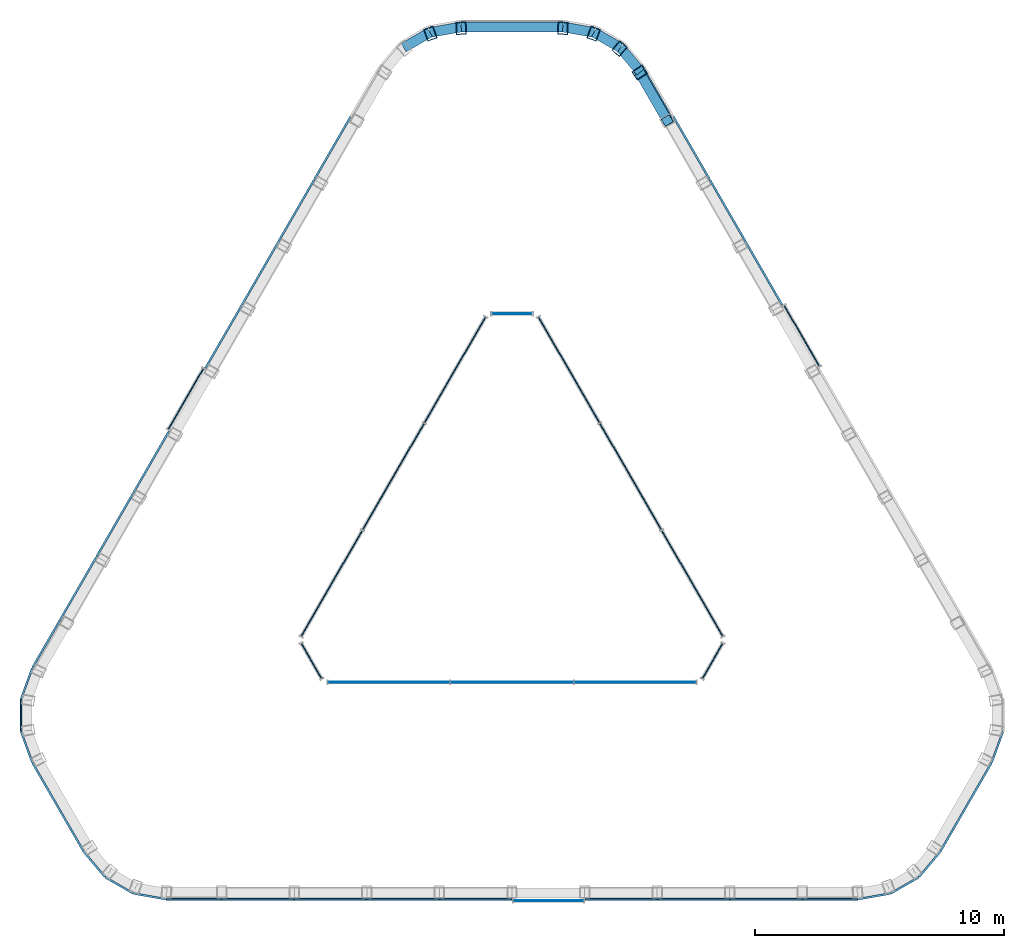
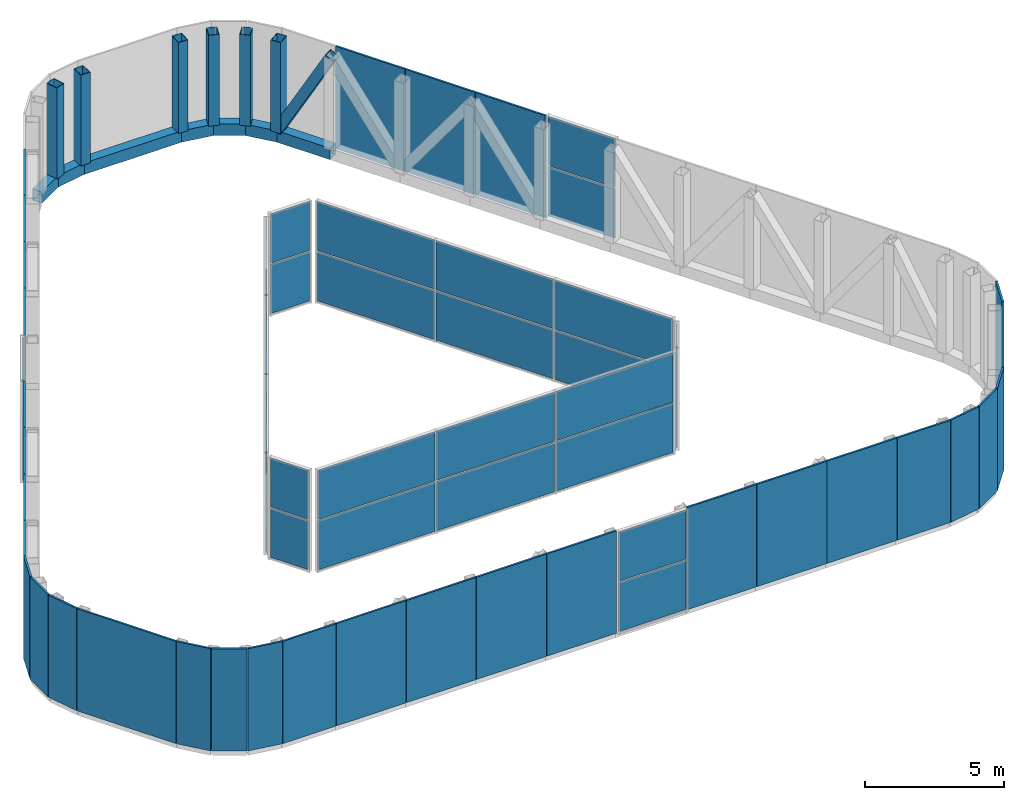
# One storey, part 4 of 5: 62 plates, 14 members, 9 elements without a shape of their own.
"""IFC4 building model written with IfcOpenShell, lengths in metres."""

from ifc_helpers import new_model, si_unit, direction, frame, origin, origin_2d, place, context, subcontext, project, spatial, rectangle, hollow_rectangle, extrude, material, layer, layer_set, material_profile, profile_set, type_object, element, aggregate, save


model = new_model("IFC4")

# Units and contexts
model_context = context("Model", 3, precision=1e-05, world=origin(), true_north=direction((0.0, 1.0)))
body_context = subcontext(model_context, "Body", "Model", "MODEL_VIEW")
ifc_project = project(units=[si_unit("LENGTHUNIT", "METRE"), si_unit("AREAUNIT", "SQUARE_METRE"), si_unit("VOLUMEUNIT", "CUBIC_METRE"), si_unit("PLANEANGLEUNIT", "RADIAN"), si_unit("MASSUNIT", "GRAM", prefix="KILO")], contexts=[model_context])

# Site, building, storey
site_placement = place(None, origin())
site = spatial("IfcSite", under=ifc_project, at=site_placement, CompositionType="ELEMENT")
building_placement = place(site_placement, origin())
building = spatial("IfcBuilding", under=site, at=building_placement, Name="Apuvela Tower Hotel", CompositionType="ELEMENT")
storey_placement = place(building_placement, frame((0.0, 0.0, 353.300048828125)))
storey = spatial("IfcBuildingStorey", under=building, at=storey_placement, Name="R-3 ROOF", CompositionType="ELEMENT", Elevation=353.300048828125)

# Members
ifc_material_1 = material(Name="Steel S355, black paint system", Category="steel")
ifc_material_profile_1 = material_profile(ifc_material_1, hollow_rectangle(XDim=0.39990234375, YDim=0.39990234375, WallThickness=0.01611328125, at=origin_2d()), Name="HSS 400x400x16")
ifc_profile_set_1 = profile_set([ifc_material_profile_1], Name="Steel S355, black paint system")
member_type_1 = type_object("IfcMemberType", Name="ENV-CROWN-BRACE-400x400", PredefinedType="BRACE", material=ifc_profile_set_1)
member_1_placement = place(storey_placement, frame((5.124755859375, 18.975830078125, 0.25), z_axis=(0.242948815269, -0.420705831623, 0.874060911148), x_axis=(0.865977099567, 0.500083656027, 0.0)))
element("IfcMember", 1, at=member_1_placement, inside=storey, type_object=member_type_1, Name="Crown frame brace 50", PredefinedType="BRACE", context=body_context, shape_type="SweptSolid", body=[
    extrude(hollow_rectangle(XDim=0.39990234375, YDim=0.39990234375, WallThickness=0.01611328125, at=origin_2d()), origin(), (0.0, 0.0, 1.0), 4.576416015625),
])
ifc_material_profile_2 = material_profile(ifc_material_1, hollow_rectangle(XDim=0.39990234375, YDim=0.5, WallThickness=0.02001953125, at=origin_2d()), Name="HSS 500x400x20")
ifc_profile_set_2 = profile_set([ifc_material_profile_2], Name="Steel S355, black paint system")
member_type_2 = type_object("IfcMemberType", Name="ENV-CROWN-POST-500x400", PredefinedType="POST", material=ifc_profile_set_2)
for number, where, z_axis, x_axis, name in (
    (2, (4.318115234375, 19.9375, 0.25), (0.0, 0.0, 1.0), (-0.763579690807, 0.645713601984, 0.0), "Crown frame post 1"),
    (3, (3.277099609375, 20.538330078125, 0.25), (0.0, 0.0, 1.0), (-0.940994228291, 0.33842260906, 0.0), "Crown frame post 2"),
    (4, (2.041015625, 20.75634765625, 0.25), (0.0, 0.0, 1.0), (-0.999161138639, 0.040951422845, 0.0), "Crown frame post 3"),
    (5, (-2.041015625, 20.75634765625, 0.25), (0.0, 0.0, 1.0), (-0.999161138639, -0.040951422845, 0.0), "Crown frame post 4"),
    (6, (-3.277099609375, 20.538330078125, 0.25), (0.0, 0.0, 1.0), (-0.940994228291, -0.33842260906, 0.0), "Crown frame post 5"),
    (7, (5.124755859375, 18.975830078125, 0.25), (0.0, 0.0, 1.0), (-0.553467140498, 0.832871013056, 0.0), "Crown frame post 51"),
):
    element("IfcMember", number, at=place(storey_placement, frame(where, z_axis=z_axis, x_axis=x_axis)), inside=storey, type_object=member_type_2, Name=name, PredefinedType="POST", context=body_context, shape_type="SweptSolid", body=[
        extrude(hollow_rectangle(XDim=0.39990234375, YDim=0.5, WallThickness=0.02001953125, at=origin_2d()), origin(), (0.0, 0.0, 1.0), 4.0),
    ])
ifc_material_profile_3 = material_profile(ifc_material_1, hollow_rectangle(XDim=0.39990234375, YDim=0.5, WallThickness=0.01611328125, at=origin_2d()), Name="HSS 500x400x16")
ifc_profile_set_3 = profile_set([ifc_material_profile_3], Name="Steel S355, black paint system")
member_type_3 = type_object("IfcMemberType", Name="ENV-CROWN-RING-500x400", PredefinedType="STRINGER", material=ifc_profile_set_3)
member_2_placement = place(storey_placement, frame((4.3505859375, 19.976318359375, 0.0), z_axis=(-0.865992225662, 0.50005746179, 0.0), x_axis=(-0.50005746179, -0.865992225662, 0.0)))
element("IfcMember", 8, at=member_2_placement, inside=storey, type_object=member_type_3, Name="Crown frame ring beam 3.1", PredefinedType="STRINGER", context=body_context, shape_type="SweptSolid", body=[
    extrude(hollow_rectangle(XDim=0.39990234375, YDim=0.5, WallThickness=0.01611328125, at=origin_2d()), origin(), (0.0, 0.0, 1.0), 1.219482421875),
])
member_3_placement = place(storey_placement, frame((3.29443359375, 20.586181640625, 0.0), z_axis=(-0.984810677158, 0.173631593197, 0.0), x_axis=(-0.173631593197, -0.984810677158, 0.0)))
element("IfcMember", 9, at=member_3_placement, inside=storey, type_object=member_type_3, Name="Crown frame ring beam 3.2", PredefinedType="STRINGER", context=body_context, shape_type="SweptSolid", body=[
    extrude(hollow_rectangle(XDim=0.39990234375, YDim=0.5, WallThickness=0.01611328125, at=origin_2d()), origin(), (0.0, 0.0, 1.0), 1.268310546875),
])
member_4_placement = place(storey_placement, frame((2.04541015625, 20.806396484375, 0.0), z_axis=(-1.0, 0.0, 0.0), x_axis=(0.0, -1.0, 0.0)))
element("IfcMember", 10, at=member_4_placement, inside=storey, type_object=member_type_3, Name="Crown frame ring beam 3.3", PredefinedType="STRINGER", context=body_context, shape_type="SweptSolid", body=[
    extrude(hollow_rectangle(XDim=0.39990234375, YDim=0.5, WallThickness=0.01611328125, at=origin_2d()), origin(), (0.0, 0.0, 1.0), 4.0908203125),
])
member_5_placement = place(storey_placement, frame((-2.04541015625, 20.806396484375, 0.0), z_axis=(-0.984810677158, -0.173631593197, 0.0), x_axis=(0.173631593197, -0.984810677158, 0.0)))
element("IfcMember", 11, at=member_5_placement, inside=storey, type_object=member_type_3, Name="Crown frame ring beam 3.4", PredefinedType="STRINGER", context=body_context, shape_type="SweptSolid", body=[
    extrude(hollow_rectangle(XDim=0.39990234375, YDim=0.5, WallThickness=0.01611328125, at=origin_2d()), origin(), (0.0, 0.0, 1.0), 1.268310546875),
])
member_6_placement = place(storey_placement, frame((-3.29443359375, 20.586181640625, 0.0), z_axis=(-0.865992225662, -0.50005746179, 0.0), x_axis=(0.50005746179, -0.865992225662, 0.0)))
element("IfcMember", 12, at=member_6_placement, inside=storey, type_object=member_type_3, Name="Crown frame ring beam 3.5", PredefinedType="STRINGER", context=body_context, shape_type="SweptSolid", body=[
    extrude(hollow_rectangle(XDim=0.39990234375, YDim=0.5, WallThickness=0.01611328125, at=origin_2d()), origin(), (0.0, 0.0, 1.0), 1.219482421875),
])
member_7_placement = place(storey_placement, frame((6.27783203125, 17.07861328125, 0.0), z_axis=(-0.499941024108, 0.866059450854, 0.0), x_axis=(-0.866059450854, -0.499941024108, 0.0)))
element("IfcMember", 13, at=member_7_placement, inside=storey, type_object=member_type_3, Name="Crown frame ring beam 3.50", PredefinedType="STRINGER", context=body_context, shape_type="SweptSolid", body=[
    extrude(hollow_rectangle(XDim=0.39990234375, YDim=0.5, WallThickness=0.01611328125, at=origin_2d()), origin(), (0.0, 0.0, 1.0), 2.223876953125),
])
member_8_placement = place(storey_placement, frame((5.166015625, 19.004638671875, 0.0), z_axis=(-0.642830918567, 0.766008100567, 0.0), x_axis=(-0.766008100567, -0.642830918567, 0.0)))
element("IfcMember", 14, at=member_8_placement, inside=storey, type_object=member_type_3, Name="Crown frame ring beam 3.51", PredefinedType="STRINGER", context=body_context, shape_type="SweptSolid", body=[
    extrude(hollow_rectangle(XDim=0.39990234375, YDim=0.5, WallThickness=0.01611328125, at=origin_2d()), origin(), (0.0, 0.0, 1.0), 1.2685546875),
])

# Plates
ifc_material_2 = material(Name="Aluminium 6063-T6, black anodised perforated panel", Category="aluminium")
ifc_layer_1 = layer(ifc_material_2, 0.080078125)
ifc_layer_set_1 = layer_set([ifc_layer_1], Name="ENV-CROWN-SCREEN-80")
plate_type_1 = type_object("IfcPlateType", Name="ENV-CROWN-SCREEN-80", PredefinedType="SHEET", material=ifc_layer_set_1)
for number, where, z_axis, x_axis, name in (
    (15, (-7.206298828125, 15.95068359375, 0.0), (0.0, 0.0, 1.0), (-0.5, -0.866025403784, 0.0), "Crown screen 8"),
    (16, (-8.6650390625, 13.42431640625, 0.0), (0.0, 0.0, 1.0), (-0.5, -0.866025403784, 0.0), "Crown screen 9"),
    (17, (-10.12353515625, 10.897705078125, 0.0), (0.0, 0.0, 1.0), (-0.5, -0.866025403784, 0.0), "Crown screen 10"),
    (18, (-11.582275390625, 8.371337890625, 0.0), (0.0, 0.0, 1.0), (-0.5, -0.866025403784, 0.0), "Crown screen 11"),
    (19, (-14.49951171875, 3.318359375, 0.0), (0.0, 0.0, 1.0), (-0.5, -0.866025403784, 0.0), "Crown screen 13"),
    (20, (-15.958251953125, 0.7919921875, 0.0), (0.0, 0.0, 1.0), (-0.5, -0.866025403784, 0.0), "Crown screen 14"),
    (21, (-17.4169921875, -1.734619140625, 0.0), (0.0, 0.0, 1.0), (-0.5, -0.866025403784, 0.0), "Crown screen 15"),
):
    element("IfcPlate", number, at=place(storey_placement, frame(where, z_axis=z_axis, x_axis=x_axis)), inside=storey, type_object=plate_type_1, Name=name, PredefinedType="SHEET", context=body_context, shape_type="SweptSolid", body=[
        extrude(rectangle(XDim=2.897216796875, YDim=0.080078125, at=origin_2d()), origin(), (0.0, 0.0, 1.0), 4.5),
    ])
plate_1_placement = place(storey_placement, frame((-18.702880859375, -3.962158203125, 0.0), z_axis=(0.0, 0.0, 1.0), x_axis=(-0.5, -0.866025403784, 0.0)))
element("IfcPlate", 22, at=plate_1_placement, inside=storey, type_object=plate_type_1, Name="Crown screen 16", PredefinedType="SHEET", context=body_context, shape_type="SweptSolid", body=[
    extrude(rectangle(XDim=2.20751953125, YDim=0.080078125, at=origin_2d()), origin(), (0.0, 0.0, 1.0), 4.5),
])
plate_2_placement = place(storey_placement, frame((-19.487548828125, -5.552490234375, 0.0), z_axis=(0.0, 0.0, 1.0), x_axis=(-0.342020143326, -0.939692620786, 0.0)))
element("IfcPlate", 23, at=plate_2_placement, inside=storey, type_object=plate_type_1, Name="Crown screen 17", PredefinedType="SHEET", context=body_context, shape_type="SweptSolid", body=[
    extrude(rectangle(XDim=1.311767578125, YDim=0.080078125, at=origin_2d()), origin(), (0.0, 0.0, 1.0), 4.5),
])
plate_3_placement = place(storey_placement, frame((-19.71533203125, -6.830078125, 0.0), z_axis=(0.0, 0.0, 1.0), x_axis=(0.0, -1.0, 0.0)))
element("IfcPlate", 24, at=plate_3_placement, inside=storey, type_object=plate_type_1, Name="Crown screen 18", PredefinedType="SHEET", context=body_context, shape_type="SweptSolid", body=[
    extrude(rectangle(XDim=1.2841796875, YDim=0.080078125, at=origin_2d()), origin(), (0.0, 0.0, 1.0), 4.5),
])
plate_4_placement = place(storey_placement, frame((-19.487548828125, -8.10791015625, 0.0), z_axis=(0.0, 0.0, 1.0), x_axis=(0.342020143326, -0.939692620786, 0.0)))
element("IfcPlate", 25, at=plate_4_placement, inside=storey, type_object=plate_type_1, Name="Crown screen 19", PredefinedType="SHEET", context=body_context, shape_type="SweptSolid", body=[
    extrude(rectangle(XDim=1.311767578125, YDim=0.080078125, at=origin_2d()), origin(), (0.0, 0.0, 1.0), 4.5),
])
plate_5_placement = place(storey_placement, frame((-18.226806640625, -10.523193359375, 0.0), z_axis=(0.0, 0.0, 1.0), x_axis=(0.5, -0.866025403784, 0.0)))
element("IfcPlate", 26, at=plate_5_placement, inside=storey, type_object=plate_type_1, Name="Crown screen 20", PredefinedType="SHEET", context=body_context, shape_type="SweptSolid", body=[
    extrude(rectangle(XDim=4.11279296875, YDim=0.080078125, at=origin_2d()), origin(), (0.0, 0.0, 1.0), 4.5),
])
plate_6_placement = place(storey_placement, frame((-16.765380859375, -12.82275390625, 0.0), z_axis=(0.0, 0.0, 1.0), x_axis=(0.642787609687, -0.766044443119, 0.0)))
element("IfcPlate", 27, at=plate_6_placement, inside=storey, type_object=plate_type_1, Name="Crown screen 21", PredefinedType="SHEET", context=body_context, shape_type="SweptSolid", body=[
    extrude(rectangle(XDim=1.311767578125, YDim=0.080078125, at=origin_2d()), origin(), (0.0, 0.0, 1.0), 4.5),
])
plate_7_placement = place(storey_placement, frame((-15.772705078125, -13.658935546875, 0.0), z_axis=(0.0, 0.0, 1.0), x_axis=(0.866025403784, -0.5, 0.0)))
element("IfcPlate", 28, at=plate_7_placement, inside=storey, type_object=plate_type_1, Name="Crown screen 22", PredefinedType="SHEET", context=body_context, shape_type="SweptSolid", body=[
    extrude(rectangle(XDim=1.2841796875, YDim=0.080078125, at=origin_2d()), origin(), (0.0, 0.0, 1.0), 4.5),
])
plate_8_placement = place(storey_placement, frame((-14.55224609375, -14.1005859375, 0.0), z_axis=(0.0, 0.0, 1.0), x_axis=(0.984807753012, -0.173648177667, 0.0)))
element("IfcPlate", 29, at=plate_8_placement, inside=storey, type_object=plate_type_1, Name="Crown screen 23", PredefinedType="SHEET", context=body_context, shape_type="SweptSolid", body=[
    extrude(rectangle(XDim=1.311767578125, YDim=0.080078125, at=origin_2d()), origin(), (0.0, 0.0, 1.0), 4.5),
])
plate_9_placement = place(storey_placement, frame((-12.782958984375, -14.21630859375, 0.0), z_axis=(0.0, 0.0, 1.0), x_axis=(1.0, 0.0, 0.0)))
element("IfcPlate", 30, at=plate_9_placement, inside=storey, type_object=plate_type_1, Name="Crown screen 24", PredefinedType="SHEET", context=body_context, shape_type="SweptSolid", body=[
    extrude(rectangle(XDim=2.20751953125, YDim=0.080078125, at=origin_2d()), origin(), (0.0, 0.0, 1.0), 4.5),
])
for number, where, z_axis, x_axis, name in (
    (31, (-10.210693359375, -14.21630859375, 0.0), (0.0, 0.0, 1.0), (1.0, 0.0, 0.0), "Crown screen 25"),
    (32, (-7.293212890625, -14.21630859375, 0.0), (0.0, 0.0, 1.0), (1.0, 0.0, 0.0), "Crown screen 26"),
    (33, (-4.3759765625, -14.21630859375, 0.0), (0.0, 0.0, 1.0), (1.0, 0.0, 0.0), "Crown screen 27"),
    (34, (-1.458740234375, -14.21630859375, 0.0), (0.0, 0.0, 1.0), (1.0, 0.0, 0.0), "Crown screen 28"),
    (35, (4.3759765625, -14.21630859375, 0.0), (0.0, 0.0, 1.0), (1.0, 0.0, 0.0), "Crown screen 30"),
    (36, (7.293212890625, -14.21630859375, 0.0), (0.0, 0.0, 1.0), (1.0, 0.0, 0.0), "Crown screen 31"),
    (37, (10.210693359375, -14.21630859375, 0.0), (0.0, 0.0, 1.0), (1.0, 0.0, 0.0), "Crown screen 32"),
):
    element("IfcPlate", number, at=place(storey_placement, frame(where, z_axis=z_axis, x_axis=x_axis)), inside=storey, type_object=plate_type_1, Name=name, PredefinedType="SHEET", context=body_context, shape_type="SweptSolid", body=[
        extrude(rectangle(XDim=2.897216796875, YDim=0.080078125, at=origin_2d()), origin(), (0.0, 0.0, 1.0), 4.5),
    ])
plate_10_placement = place(storey_placement, frame((12.782958984375, -14.21630859375, 0.0), z_axis=(0.0, 0.0, 1.0), x_axis=(1.0, 0.0, 0.0)))
element("IfcPlate", 38, at=plate_10_placement, inside=storey, type_object=plate_type_1, Name="Crown screen 33", PredefinedType="SHEET", context=body_context, shape_type="SweptSolid", body=[
    extrude(rectangle(XDim=2.20751953125, YDim=0.080078125, at=origin_2d()), origin(), (0.0, 0.0, 1.0), 4.5),
])
plate_11_placement = place(storey_placement, frame((14.55224609375, -14.1005859375, 0.0), z_axis=(0.0, 0.0, 1.0), x_axis=(0.984807753012, 0.173648177667, 0.0)))
element("IfcPlate", 39, at=plate_11_placement, inside=storey, type_object=plate_type_1, Name="Crown screen 34", PredefinedType="SHEET", context=body_context, shape_type="SweptSolid", body=[
    extrude(rectangle(XDim=1.311767578125, YDim=0.080078125, at=origin_2d()), origin(), (0.0, 0.0, 1.0), 4.5),
])
plate_12_placement = place(storey_placement, frame((15.772705078125, -13.658935546875, 0.0), z_axis=(0.0, 0.0, 1.0), x_axis=(0.866025403784, 0.5, 0.0)))
element("IfcPlate", 40, at=plate_12_placement, inside=storey, type_object=plate_type_1, Name="Crown screen 35", PredefinedType="SHEET", context=body_context, shape_type="SweptSolid", body=[
    extrude(rectangle(XDim=1.2841796875, YDim=0.080078125, at=origin_2d()), origin(), (0.0, 0.0, 1.0), 4.5),
])
plate_13_placement = place(storey_placement, frame((16.765380859375, -12.82275390625, 0.0), z_axis=(0.0, 0.0, 1.0), x_axis=(0.642787609687, 0.766044443119, 0.0)))
element("IfcPlate", 41, at=plate_13_placement, inside=storey, type_object=plate_type_1, Name="Crown screen 36", PredefinedType="SHEET", context=body_context, shape_type="SweptSolid", body=[
    extrude(rectangle(XDim=1.311767578125, YDim=0.080078125, at=origin_2d()), origin(), (0.0, 0.0, 1.0), 4.5),
])
plate_14_placement = place(storey_placement, frame((18.226806640625, -10.523193359375, 0.0), z_axis=(0.0, 0.0, 1.0), x_axis=(0.5, 0.866025403784, 0.0)))
element("IfcPlate", 42, at=plate_14_placement, inside=storey, type_object=plate_type_1, Name="Crown screen 37", PredefinedType="SHEET", context=body_context, shape_type="SweptSolid", body=[
    extrude(rectangle(XDim=4.11279296875, YDim=0.080078125, at=origin_2d()), origin(), (0.0, 0.0, 1.0), 4.5),
])
plate_15_placement = place(storey_placement, frame((19.487548828125, -8.10791015625, 0.0), z_axis=(0.0, 0.0, 1.0), x_axis=(0.342020143326, 0.939692620786, 0.0)))
element("IfcPlate", 43, at=plate_15_placement, inside=storey, type_object=plate_type_1, Name="Crown screen 38", PredefinedType="SHEET", context=body_context, shape_type="SweptSolid", body=[
    extrude(rectangle(XDim=1.311767578125, YDim=0.080078125, at=origin_2d()), origin(), (0.0, 0.0, 1.0), 4.5),
])
for number, where, z_axis, x_axis, name in (
    (44, (10.12353515625, 10.897705078125, 0.0), (0.0, 0.0, 1.0), (-0.5, 0.866025403784, 0.0), "Crown screen 47"),
    (45, (8.6650390625, 13.42431640625, 0.0), (0.0, 0.0, 1.0), (-0.5, 0.866025403784, 0.0), "Crown screen 48"),
    (46, (7.206298828125, 15.95068359375, 0.0), (0.0, 0.0, 1.0), (-0.5, 0.866025403784, 0.0), "Crown screen 49"),
):
    element("IfcPlate", number, at=place(storey_placement, frame(where, z_axis=z_axis, x_axis=x_axis)), inside=storey, type_object=plate_type_1, Name=name, PredefinedType="SHEET", context=body_context, shape_type="SweptSolid", body=[
        extrude(rectangle(XDim=2.897216796875, YDim=0.080078125, at=origin_2d()), origin(), (0.0, 0.0, 1.0), 4.5),
    ])

# Curtain wall, plates
ifc_material_3 = material(Name="Aluminium 6063-T6, dark bronze anodised", Category="aluminium")
ifc_layer_2 = layer(ifc_material_3, 0.199951171875)
ifc_layer_set_2 = layer_set([ifc_layer_2], Name="ENV-CW-C")
curtain_wall_type_1 = type_object("IfcCurtainWallType", Name="ENV-CW-C", PredefinedType="NOTDEFINED", material=ifc_layer_set_2)
curtain_wall_1_placement = place(storey_placement, origin())
curtain_wall_1 = element("IfcCurtainWall", 47, at=curtain_wall_1_placement, inside=storey, type_object=curtain_wall_type_1, Name="Crown glazing 12 R-3 ROOF", PredefinedType="NOTDEFINED")
ifc_material_4 = material(Name="Glass, dark tinted laminated insulated glazing unit", Category="glass")
ifc_layer_3 = layer(ifc_material_4, 0.0400390625)
ifc_layer_set_3 = layer_set([ifc_layer_3], Name="ENV-PANEL-IGU-40")
plate_type_2 = type_object("IfcPlateType", Name="ENV-PANEL-IGU-40", PredefinedType="CURTAIN_PANEL", material=ifc_layer_set_3)
plate_16_placement = place(storey_placement, frame((-13.093017578125, 5.874755859375, 0.06494140625), z_axis=(0.0, 0.0, 1.0), x_axis=(-0.499980601426, -0.866036603266, 0.0)))
plate_16 = element("IfcPlate", 48, at=plate_16_placement, type_object=plate_type_2, Name="CW-C panel 1.1", PredefinedType="CURTAIN_PANEL", context=body_context, shape_type="SweptSolid", body=[
    extrude(rectangle(XDim=2.787353515625, YDim=0.0400390625, at=origin_2d()), origin(), (0.0, 0.0, 1.0), 2.152587890625),
])
plate_17_placement = place(storey_placement, frame((-13.093017578125, 5.874755859375, 2.2822265625), z_axis=(0.0, 0.0, 1.0), x_axis=(-0.499980601426, -0.866036603266, 0.0)))
plate_17 = element("IfcPlate", 49, at=plate_17_placement, type_object=plate_type_2, Name="CW-C panel 1.2", PredefinedType="CURTAIN_PANEL", context=body_context, shape_type="SweptSolid", body=[
    extrude(rectangle(XDim=2.787353515625, YDim=0.0400390625, at=origin_2d()), origin(), (0.0, 0.0, 1.0), 2.152587890625),
])
aggregate(curtain_wall_1, [plate_16, plate_17])

curtain_wall_2_placement = place(storey_placement, origin())
curtain_wall_2 = element("IfcCurtainWall", 50, at=curtain_wall_2_placement, inside=storey, type_object=curtain_wall_type_1, Name="Crown glazing 29 R-3 ROOF", PredefinedType="NOTDEFINED")
plate_18_placement = place(storey_placement, frame((1.458740234375, -14.276123046875, 0.06494140625), z_axis=(0.0, 0.0, 1.0), x_axis=(1.0, 0.0, 0.0)))
plate_18 = element("IfcPlate", 51, at=plate_18_placement, type_object=plate_type_2, Name="CW-C panel 1.1", PredefinedType="CURTAIN_PANEL", context=body_context, shape_type="SweptSolid", body=[
    extrude(rectangle(XDim=2.787353515625, YDim=0.0400390625, at=origin_2d()), origin(), (0.0, 0.0, 1.0), 2.152587890625),
])
plate_19_placement = place(storey_placement, frame((1.458740234375, -14.276123046875, 2.2822265625), z_axis=(0.0, 0.0, 1.0), x_axis=(1.0, 0.0, 0.0)))
plate_19 = element("IfcPlate", 52, at=plate_19_placement, type_object=plate_type_2, Name="CW-C panel 1.2", PredefinedType="CURTAIN_PANEL", context=body_context, shape_type="SweptSolid", body=[
    extrude(rectangle(XDim=2.787353515625, YDim=0.0400390625, at=origin_2d()), origin(), (0.0, 0.0, 1.0), 2.152587890625),
])
aggregate(curtain_wall_2, [plate_18, plate_19])

curtain_wall_3_placement = place(storey_placement, origin())
curtain_wall_3 = element("IfcCurtainWall", 53, at=curtain_wall_3_placement, inside=storey, type_object=curtain_wall_type_1, Name="Crown glazing 46 R-3 ROOF", PredefinedType="NOTDEFINED")
plate_20_placement = place(storey_placement, frame((11.63427734375, 8.4013671875, 0.06494140625), z_axis=(0.0, 0.0, 1.0), x_axis=(-0.500006310028, 0.866021760657, 0.0)))
plate_20 = element("IfcPlate", 54, at=plate_20_placement, type_object=plate_type_2, Name="CW-C panel 1.1", PredefinedType="CURTAIN_PANEL", context=body_context, shape_type="SweptSolid", body=[
    extrude(rectangle(XDim=2.787353515625, YDim=0.0400390625, at=origin_2d()), origin(), (0.0, 0.0, 1.0), 2.152587890625),
])
plate_21_placement = place(storey_placement, frame((11.63427734375, 8.4013671875, 2.2822265625), z_axis=(0.0, 0.0, 1.0), x_axis=(-0.500006310028, 0.866021760657, 0.0)))
plate_21 = element("IfcPlate", 55, at=plate_21_placement, type_object=plate_type_2, Name="CW-C panel 1.2", PredefinedType="CURTAIN_PANEL", context=body_context, shape_type="SweptSolid", body=[
    extrude(rectangle(XDim=2.787353515625, YDim=0.0400390625, at=origin_2d()), origin(), (0.0, 0.0, 1.0), 2.152587890625),
])
aggregate(curtain_wall_3, [plate_20, plate_21])

ifc_layer_4 = layer(ifc_material_3, 0.199951171875)
ifc_layer_set_4 = layer_set([ifc_layer_4], Name="ENV-CW-A")
curtain_wall_type_2 = type_object("IfcCurtainWallType", Name="ENV-CW-A", PredefinedType="NOTDEFINED", material=ifc_layer_set_4)
curtain_wall_4_placement = place(storey_placement, origin())
curtain_wall_4 = element("IfcCurtainWall", 56, at=curtain_wall_4_placement, inside=storey, type_object=curtain_wall_type_2, Name="Atrium glazing 1 R-3 ROOF", PredefinedType="NOTDEFINED")
plate_22_placement = place(storey_placement, frame((0.0, 9.300048828125, 0.06494140625), z_axis=(0.0, 0.0, 1.0), x_axis=(-1.0, 0.0, 0.0)))
plate_22 = element("IfcPlate", 57, at=plate_22_placement, type_object=plate_type_2, Name="CW-A panel 1.1", PredefinedType="CURTAIN_PANEL", context=body_context, shape_type="SweptSolid", body=[
    extrude(rectangle(XDim=1.60205078125, YDim=0.0400390625, at=origin_2d()), origin(), (0.0, 0.0, 1.0), 2.152587890625),
])
plate_23_placement = place(storey_placement, frame((0.0, 9.300048828125, 2.2822265625), z_axis=(0.0, 0.0, 1.0), x_axis=(-1.0, 0.0, 0.0)))
plate_23 = element("IfcPlate", 58, at=plate_23_placement, type_object=plate_type_2, Name="CW-A panel 1.2", PredefinedType="CURTAIN_PANEL", context=body_context, shape_type="SweptSolid", body=[
    extrude(rectangle(XDim=1.60205078125, YDim=0.0400390625, at=origin_2d()), origin(), (0.0, 0.0, 1.0), 2.152587890625),
])
aggregate(curtain_wall_4, [plate_22, plate_23])

curtain_wall_5_placement = place(storey_placement, origin())
curtain_wall_5 = element("IfcCurtainWall", 59, at=curtain_wall_5_placement, inside=storey, type_object=curtain_wall_type_2, Name="Atrium glazing 2 R-3 ROOF", PredefinedType="NOTDEFINED")
plate_24_placement = place(storey_placement, frame((-2.28857421875, 7.035888671875, 0.06494140625), z_axis=(0.0, 0.0, 1.0), x_axis=(-0.499999069899, -0.866025940778, 0.0)))
plate_24 = element("IfcPlate", 60, at=plate_24_placement, type_object=plate_type_2, Name="CW-A panel 1.1", PredefinedType="CURTAIN_PANEL", context=body_context, shape_type="SweptSolid", body=[
    extrude(rectangle(XDim=4.86767578125, YDim=0.0400390625, at=origin_2d()), origin(), (0.0, 0.0, 1.0), 2.152587890625),
])
plate_25_placement = place(storey_placement, frame((-2.28857421875, 7.035888671875, 2.2822265625), z_axis=(0.0, 0.0, 1.0), x_axis=(-0.499999069899, -0.866025940778, 0.0)))
plate_25 = element("IfcPlate", 61, at=plate_25_placement, type_object=plate_type_2, Name="CW-A panel 1.2", PredefinedType="CURTAIN_PANEL", context=body_context, shape_type="SweptSolid", body=[
    extrude(rectangle(XDim=4.86767578125, YDim=0.0400390625, at=origin_2d()), origin(), (0.0, 0.0, 1.0), 2.152587890625),
])
plate_26_placement = place(storey_placement, frame((-4.76318359375, 2.75, 0.06494140625), z_axis=(0.0, 0.0, 1.0), x_axis=(-0.499999069899, -0.866025940778, 0.0)))
plate_26 = element("IfcPlate", 62, at=plate_26_placement, type_object=plate_type_2, Name="CW-A panel 2.1", PredefinedType="CURTAIN_PANEL", context=body_context, shape_type="SweptSolid", body=[
    extrude(rectangle(XDim=4.900146484375, YDim=0.0400390625, at=origin_2d()), origin(), (0.0, 0.0, 1.0), 2.152587890625),
])
plate_27_placement = place(storey_placement, frame((-4.76318359375, 2.75, 2.2822265625), z_axis=(0.0, 0.0, 1.0), x_axis=(-0.499999069899, -0.866025940778, 0.0)))
plate_27 = element("IfcPlate", 63, at=plate_27_placement, type_object=plate_type_2, Name="CW-A panel 2.2", PredefinedType="CURTAIN_PANEL", context=body_context, shape_type="SweptSolid", body=[
    extrude(rectangle(XDim=4.900146484375, YDim=0.0400390625, at=origin_2d()), origin(), (0.0, 0.0, 1.0), 2.152587890625),
])
plate_28_placement = place(storey_placement, frame((-7.237548828125, -1.535888671875, 0.06494140625), z_axis=(0.0, 0.0, 1.0), x_axis=(-0.499999069899, -0.866025940778, 0.0)))
plate_28 = element("IfcPlate", 64, at=plate_28_placement, type_object=plate_type_2, Name="CW-A panel 3.1", PredefinedType="CURTAIN_PANEL", context=body_context, shape_type="SweptSolid", body=[
    extrude(rectangle(XDim=4.86767578125, YDim=0.0400390625, at=origin_2d()), origin(), (0.0, 0.0, 1.0), 2.152587890625),
])
plate_29_placement = place(storey_placement, frame((-7.237548828125, -1.535888671875, 2.2822265625), z_axis=(0.0, 0.0, 1.0), x_axis=(-0.499999069899, -0.866025940778, 0.0)))
plate_29 = element("IfcPlate", 65, at=plate_29_placement, type_object=plate_type_2, Name="CW-A panel 3.2", PredefinedType="CURTAIN_PANEL", context=body_context, shape_type="SweptSolid", body=[
    extrude(rectangle(XDim=4.86767578125, YDim=0.0400390625, at=origin_2d()), origin(), (0.0, 0.0, 1.0), 2.152587890625),
])
aggregate(curtain_wall_5, [plate_24, plate_25, plate_26, plate_27, plate_28, plate_29])

curtain_wall_6_placement = place(storey_placement, origin())
curtain_wall_6 = element("IfcCurtainWall", 66, at=curtain_wall_6_placement, inside=storey, type_object=curtain_wall_type_2, Name="Atrium glazing 3 R-3 ROOF", PredefinedType="NOTDEFINED")
plate_30_placement = place(storey_placement, frame((-8.053955078125, -4.64990234375, 0.06494140625), z_axis=(0.0, 0.0, 1.0), x_axis=(0.49998899972, -0.866031754706, 0.0)))
plate_30 = element("IfcPlate", 67, at=plate_30_placement, type_object=plate_type_2, Name="CW-A panel 1.1", PredefinedType="CURTAIN_PANEL", context=body_context, shape_type="SweptSolid", body=[
    extrude(rectangle(XDim=1.60205078125, YDim=0.0400390625, at=origin_2d()), origin(), (0.0, 0.0, 1.0), 2.152587890625),
])
plate_31_placement = place(storey_placement, frame((-8.053955078125, -4.64990234375, 2.2822265625), z_axis=(0.0, 0.0, 1.0), x_axis=(0.49998899972, -0.866031754706, 0.0)))
plate_31 = element("IfcPlate", 68, at=plate_31_placement, type_object=plate_type_2, Name="CW-A panel 1.2", PredefinedType="CURTAIN_PANEL", context=body_context, shape_type="SweptSolid", body=[
    extrude(rectangle(XDim=1.60205078125, YDim=0.0400390625, at=origin_2d()), origin(), (0.0, 0.0, 1.0), 2.152587890625),
])
aggregate(curtain_wall_6, [plate_30, plate_31])

curtain_wall_7_placement = place(storey_placement, origin())
curtain_wall_7 = element("IfcCurtainWall", 69, at=curtain_wall_7_placement, inside=storey, type_object=curtain_wall_type_2, Name="Atrium glazing 4 R-3 ROOF", PredefinedType="NOTDEFINED")
plate_32_placement = place(storey_placement, frame((-4.948974609375, -5.5, 0.06494140625), z_axis=(0.0, 0.0, 1.0), x_axis=(1.0, 0.0, 0.0)))
plate_32 = element("IfcPlate", 70, at=plate_32_placement, type_object=plate_type_2, Name="CW-A panel 1.1", PredefinedType="CURTAIN_PANEL", context=body_context, shape_type="SweptSolid", body=[
    extrude(rectangle(XDim=4.86767578125, YDim=0.0400390625, at=origin_2d()), origin(), (0.0, 0.0, 1.0), 2.152587890625),
])
plate_33_placement = place(storey_placement, frame((-4.948974609375, -5.5, 2.2822265625), z_axis=(0.0, 0.0, 1.0), x_axis=(1.0, 0.0, 0.0)))
plate_33 = element("IfcPlate", 71, at=plate_33_placement, type_object=plate_type_2, Name="CW-A panel 1.2", PredefinedType="CURTAIN_PANEL", context=body_context, shape_type="SweptSolid", body=[
    extrude(rectangle(XDim=4.86767578125, YDim=0.0400390625, at=origin_2d()), origin(), (0.0, 0.0, 1.0), 2.152587890625),
])
plate_34_placement = place(storey_placement, frame((0.0, -5.5, 0.06494140625), z_axis=(0.0, 0.0, 1.0), x_axis=(1.0, 0.0, 0.0)))
plate_34 = element("IfcPlate", 72, at=plate_34_placement, type_object=plate_type_2, Name="CW-A panel 2.1", PredefinedType="CURTAIN_PANEL", context=body_context, shape_type="SweptSolid", body=[
    extrude(rectangle(XDim=4.900146484375, YDim=0.0400390625, at=origin_2d()), origin(), (0.0, 0.0, 1.0), 2.152587890625),
])
plate_35_placement = place(storey_placement, frame((0.0, -5.5, 2.2822265625), z_axis=(0.0, 0.0, 1.0), x_axis=(1.0, 0.0, 0.0)))
plate_35 = element("IfcPlate", 73, at=plate_35_placement, type_object=plate_type_2, Name="CW-A panel 2.2", PredefinedType="CURTAIN_PANEL", context=body_context, shape_type="SweptSolid", body=[
    extrude(rectangle(XDim=4.900146484375, YDim=0.0400390625, at=origin_2d()), origin(), (0.0, 0.0, 1.0), 2.152587890625),
])
plate_36_placement = place(storey_placement, frame((4.948974609375, -5.5, 0.06494140625), z_axis=(0.0, 0.0, 1.0), x_axis=(1.0, 0.0, 0.0)))
plate_36 = element("IfcPlate", 74, at=plate_36_placement, type_object=plate_type_2, Name="CW-A panel 3.1", PredefinedType="CURTAIN_PANEL", context=body_context, shape_type="SweptSolid", body=[
    extrude(rectangle(XDim=4.86767578125, YDim=0.0400390625, at=origin_2d()), origin(), (0.0, 0.0, 1.0), 2.152587890625),
])
plate_37_placement = place(storey_placement, frame((4.948974609375, -5.5, 2.2822265625), z_axis=(0.0, 0.0, 1.0), x_axis=(1.0, 0.0, 0.0)))
plate_37 = element("IfcPlate", 75, at=plate_37_placement, type_object=plate_type_2, Name="CW-A panel 3.2", PredefinedType="CURTAIN_PANEL", context=body_context, shape_type="SweptSolid", body=[
    extrude(rectangle(XDim=4.86767578125, YDim=0.0400390625, at=origin_2d()), origin(), (0.0, 0.0, 1.0), 2.152587890625),
])
aggregate(curtain_wall_7, [plate_32, plate_33, plate_34, plate_35, plate_36, plate_37])

curtain_wall_8_placement = place(storey_placement, origin())
curtain_wall_8 = element("IfcCurtainWall", 76, at=curtain_wall_8_placement, inside=storey, type_object=curtain_wall_type_2, Name="Atrium glazing 5 R-3 ROOF", PredefinedType="NOTDEFINED")
plate_38_placement = place(storey_placement, frame((8.053955078125, -4.64990234375, 0.06494140625), z_axis=(0.0, 0.0, 1.0), x_axis=(0.49998899972, 0.866031754706, 0.0)))
plate_38 = element("IfcPlate", 77, at=plate_38_placement, type_object=plate_type_2, Name="CW-A panel 1.1", PredefinedType="CURTAIN_PANEL", context=body_context, shape_type="SweptSolid", body=[
    extrude(rectangle(XDim=1.60205078125, YDim=0.0400390625, at=origin_2d()), origin(), (0.0, 0.0, 1.0), 2.152587890625),
])
plate_39_placement = place(storey_placement, frame((8.053955078125, -4.64990234375, 2.2822265625), z_axis=(0.0, 0.0, 1.0), x_axis=(0.49998899972, 0.866031754706, 0.0)))
plate_39 = element("IfcPlate", 78, at=plate_39_placement, type_object=plate_type_2, Name="CW-A panel 1.2", PredefinedType="CURTAIN_PANEL", context=body_context, shape_type="SweptSolid", body=[
    extrude(rectangle(XDim=1.60205078125, YDim=0.0400390625, at=origin_2d()), origin(), (0.0, 0.0, 1.0), 2.152587890625),
])
aggregate(curtain_wall_8, [plate_38, plate_39])

curtain_wall_9_placement = place(storey_placement, origin())
curtain_wall_9 = element("IfcCurtainWall", 79, at=curtain_wall_9_placement, inside=storey, type_object=curtain_wall_type_2, Name="Atrium glazing 6 R-3 ROOF", PredefinedType="NOTDEFINED")
plate_40_placement = place(storey_placement, frame((7.237548828125, -1.535888671875, 0.06494140625), z_axis=(0.0, 0.0, 1.0), x_axis=(-0.499999069899, 0.866025940778, 0.0)))
plate_40 = element("IfcPlate", 80, at=plate_40_placement, type_object=plate_type_2, Name="CW-A panel 1.1", PredefinedType="CURTAIN_PANEL", context=body_context, shape_type="SweptSolid", body=[
    extrude(rectangle(XDim=4.86767578125, YDim=0.0400390625, at=origin_2d()), origin(), (0.0, 0.0, 1.0), 2.152587890625),
])
plate_41_placement = place(storey_placement, frame((7.237548828125, -1.535888671875, 2.2822265625), z_axis=(0.0, 0.0, 1.0), x_axis=(-0.499999069899, 0.866025940778, 0.0)))
plate_41 = element("IfcPlate", 81, at=plate_41_placement, type_object=plate_type_2, Name="CW-A panel 1.2", PredefinedType="CURTAIN_PANEL", context=body_context, shape_type="SweptSolid", body=[
    extrude(rectangle(XDim=4.86767578125, YDim=0.0400390625, at=origin_2d()), origin(), (0.0, 0.0, 1.0), 2.152587890625),
])
plate_42_placement = place(storey_placement, frame((4.76318359375, 2.75, 0.06494140625), z_axis=(0.0, 0.0, 1.0), x_axis=(-0.499999069899, 0.866025940778, 0.0)))
plate_42 = element("IfcPlate", 82, at=plate_42_placement, type_object=plate_type_2, Name="CW-A panel 2.1", PredefinedType="CURTAIN_PANEL", context=body_context, shape_type="SweptSolid", body=[
    extrude(rectangle(XDim=4.900146484375, YDim=0.0400390625, at=origin_2d()), origin(), (0.0, 0.0, 1.0), 2.152587890625),
])
plate_43_placement = place(storey_placement, frame((4.76318359375, 2.75, 2.2822265625), z_axis=(0.0, 0.0, 1.0), x_axis=(-0.499999069899, 0.866025940778, 0.0)))
plate_43 = element("IfcPlate", 83, at=plate_43_placement, type_object=plate_type_2, Name="CW-A panel 2.2", PredefinedType="CURTAIN_PANEL", context=body_context, shape_type="SweptSolid", body=[
    extrude(rectangle(XDim=4.900146484375, YDim=0.0400390625, at=origin_2d()), origin(), (0.0, 0.0, 1.0), 2.152587890625),
])
plate_44_placement = place(storey_placement, frame((2.28857421875, 7.035888671875, 0.06494140625), z_axis=(0.0, 0.0, 1.0), x_axis=(-0.499999069899, 0.866025940778, 0.0)))
plate_44 = element("IfcPlate", 84, at=plate_44_placement, type_object=plate_type_2, Name="CW-A panel 3.1", PredefinedType="CURTAIN_PANEL", context=body_context, shape_type="SweptSolid", body=[
    extrude(rectangle(XDim=4.86767578125, YDim=0.0400390625, at=origin_2d()), origin(), (0.0, 0.0, 1.0), 2.152587890625),
])
plate_45_placement = place(storey_placement, frame((2.28857421875, 7.035888671875, 2.2822265625), z_axis=(0.0, 0.0, 1.0), x_axis=(-0.499999069899, 0.866025940778, 0.0)))
plate_45 = element("IfcPlate", 85, at=plate_45_placement, type_object=plate_type_2, Name="CW-A panel 3.2", PredefinedType="CURTAIN_PANEL", context=body_context, shape_type="SweptSolid", body=[
    extrude(rectangle(XDim=4.86767578125, YDim=0.0400390625, at=origin_2d()), origin(), (0.0, 0.0, 1.0), 2.152587890625),
])
aggregate(curtain_wall_9, [plate_40, plate_41, plate_42, plate_43, plate_44, plate_45])

save(model, "model.ifc")
